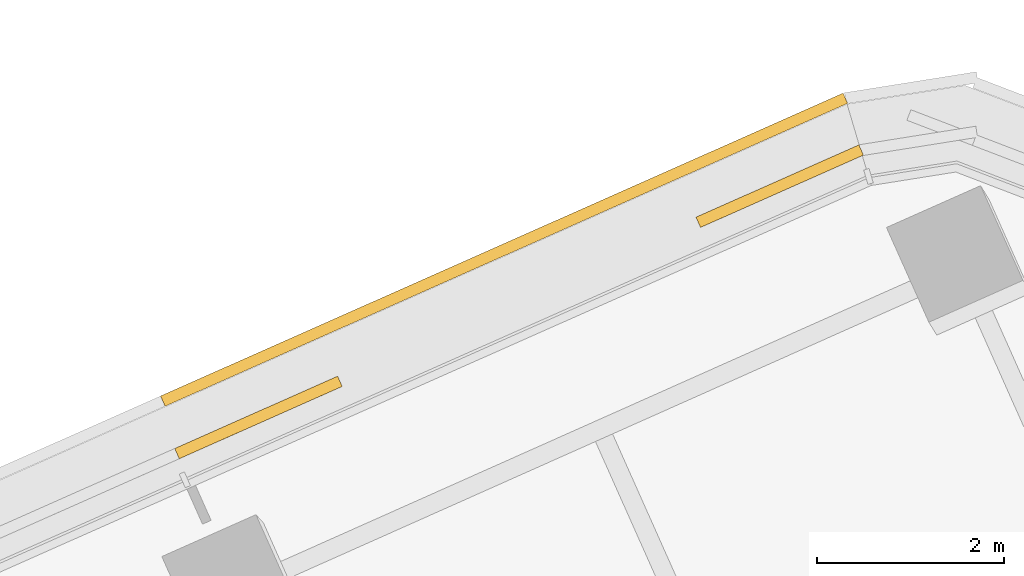
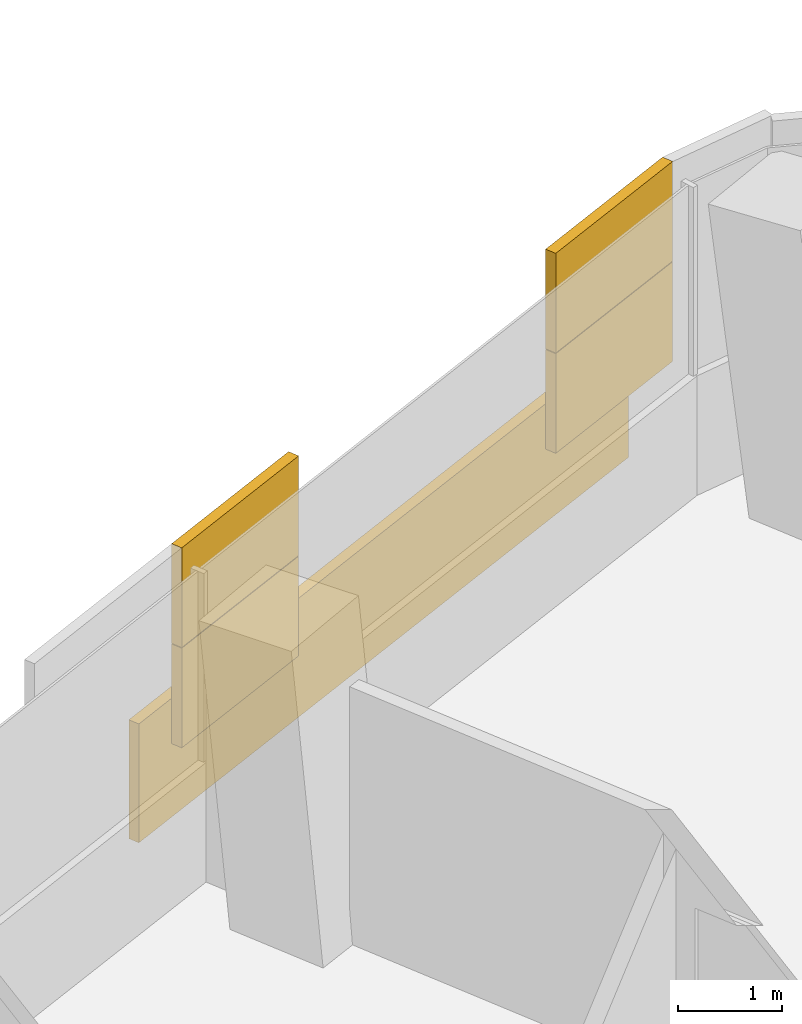
# One storey, part 35 of 35: 1 covering.
"""IFC4 building model written with IfcOpenShell, lengths in metres."""

from ifc_helpers import new_model, si_unit, direction, frame, origin, origin_2d, place, context, subcontext, project, spatial, rectangle, extrude, material, layer, layer_set, type_object, element, save


model = new_model("IFC4")

# Units and contexts
model_context = context("Model", 3, precision=1e-05, world=origin(), true_north=direction((0.0, 1.0)))
body_context = subcontext(model_context, "Body", "Model", "MODEL_VIEW")
ifc_project = project(units=[si_unit("LENGTHUNIT", "METRE"), si_unit("AREAUNIT", "SQUARE_METRE"), si_unit("VOLUMEUNIT", "CUBIC_METRE"), si_unit("PLANEANGLEUNIT", "RADIAN"), si_unit("MASSUNIT", "GRAM", prefix="KILO")], contexts=[model_context])

# Site, building, storey
site_placement = place(None, origin())
site = spatial("IfcSite", under=ifc_project, at=site_placement, CompositionType="ELEMENT")
building_placement = place(site_placement, origin())
building = spatial("IfcBuilding", under=site, at=building_placement, Name="Tamarind Cross Interchange Tower", CompositionType="ELEMENT")
storey_placement = place(building_placement, frame((0.0, 0.0, 121.0)))
storey = spatial("IfcBuildingStorey", under=building, at=storey_placement, Name="L29", CompositionType="ELEMENT", Elevation=121.0)

# Covering
ifc_material = material(Name="Terracotta", Category="masonry")
ifc_layer = layer(ifc_material, 0.1201171875)
ifc_layer_set = layer_set([ifc_layer], Name="Terracotta")
covering_type = type_object("IfcCoveringType", Name="Terracotta baguette screen unit", PredefinedType="MOLDING", material=ifc_layer_set)
covering_placement = place(storey_placement, origin())
element("IfcCovering", 1, at=covering_placement, inside=storey, type_object=covering_type, Name="SCR-L29-09-00", PredefinedType="MOLDING", context=body_context, shape_type="SweptSolid", body=[
    extrude(rectangle(XDim=0.760009765625, YDim=0.1201171875, at=origin_2d()), frame((41.88037109375, 16.62744140625, 1.404052734375), z_axis=(0.0, 0.0, 1.0), x_axis=(-0.914040185221, -0.40562364305, 0.0)), (0.0, 0.0, 1.0), 1.1669921875),
    extrude(rectangle(XDim=1.155029296875, YDim=0.1201171875, at=origin_2d()), frame((41.014404296875, 16.2431640625, 1.404052734375), z_axis=(0.0, 0.0, 1.0), x_axis=(-0.914040185221, -0.40562364305, 0.0)), (0.0, 0.0, 1.0), 1.1669921875),
    extrude(rectangle(XDim=0.6650390625, YDim=0.1201171875, at=origin_2d()), frame((36.352783203125, 14.174560546875, 1.404052734375), z_axis=(0.0, 0.0, 1.0), x_axis=(-0.914040185221, -0.40562364305, 0.0)), (0.0, 0.0, 1.0), 1.1669921875),
    extrude(rectangle(XDim=1.25, YDim=0.1201171875, at=origin_2d()), frame((35.486572265625, 13.7900390625, 1.404052734375), z_axis=(0.0, 0.0, 1.0), x_axis=(-0.914040185221, -0.40562364305, 0.0)), (0.0, 0.0, 1.0), 1.1669921875),
    extrude(rectangle(XDim=1.510009765625, YDim=0.1201171875, at=origin_2d()), frame((41.53759765625, 16.475341796875, 2.5791015625), z_axis=(0.0, 0.0, 1.0), x_axis=(-0.914040185221, -0.40562364305, 0.0)), (0.0, 0.0, 1.0), 1.1669921875),
    extrude(rectangle(XDim=0.405029296875, YDim=0.1201171875, at=origin_2d()), frame((40.671630859375, 16.091064453125, 2.5791015625), z_axis=(0.0, 0.0, 1.0), x_axis=(-0.914040185221, -0.40562364305, 0.0)), (0.0, 0.0, 1.0), 1.1669921875),
    extrude(rectangle(XDim=1.4150390625, YDim=0.1201171875, at=origin_2d()), frame((36.010009765625, 14.0224609375, 2.5791015625), z_axis=(0.0, 0.0, 1.0), x_axis=(-0.914040185221, -0.40562364305, 0.0)), (0.0, 0.0, 1.0), 1.1669921875),
    extrude(rectangle(XDim=0.5, YDim=0.1201171875, at=origin_2d()), frame((35.143798828125, 13.637939453125, 2.5791015625), z_axis=(0.0, 0.0, 1.0), x_axis=(-0.914040185221, -0.40562364305, 0.0)), (0.0, 0.0, 1.0), 1.1669921875),
    extrude(rectangle(XDim=0.760009765625, YDim=0.1201171875, at=origin_2d()), frame((41.711669921875, 17.1806640625, 0.00390625), z_axis=(0.0, 0.0, 1.0), x_axis=(-0.914040185221, -0.40562364305, 0.0)), (0.0, 0.0, 1.0), 1.39208984375),
    extrude(rectangle(XDim=1.52001953125, YDim=0.1201171875, at=origin_2d()), frame((40.68798828125, 16.726318359375, 0.00390625), z_axis=(0.0, 0.0, 1.0), x_axis=(-0.914040185221, -0.40562364305, 0.0)), (0.0, 0.0, 1.0), 1.39208984375),
    extrude(rectangle(XDim=1.52001953125, YDim=0.1201171875, at=origin_2d()), frame((39.31689453125, 16.117919921875, 0.00390625), z_axis=(0.0, 0.0, 1.0), x_axis=(-0.914040185221, -0.40562364305, 0.0)), (0.0, 0.0, 1.0), 1.39208984375),
    extrude(rectangle(XDim=1.52001953125, YDim=0.1201171875, at=origin_2d()), frame((37.94580078125, 15.50927734375, 0.00390625), z_axis=(0.0, 0.0, 1.0), x_axis=(-0.914040185221, -0.40562364305, 0.0)), (0.0, 0.0, 1.0), 1.39208984375),
    extrude(rectangle(XDim=1.52001953125, YDim=0.1201171875, at=origin_2d()), frame((36.57470703125, 14.90087890625, 0.00390625), z_axis=(0.0, 0.0, 1.0), x_axis=(-0.914040185221, -0.40562364305, 0.0)), (0.0, 0.0, 1.0), 1.39208984375),
    extrude(rectangle(XDim=1.240966796875, YDim=0.1201171875, at=origin_2d()), frame((35.3310546875, 14.34912109375, 0.00390625), z_axis=(0.0, 0.0, 1.0), x_axis=(-0.914040185221, -0.40562364305, 0.0)), (0.0, 0.0, 1.0), 1.39208984375),
])

save(model, "model.ifc")
